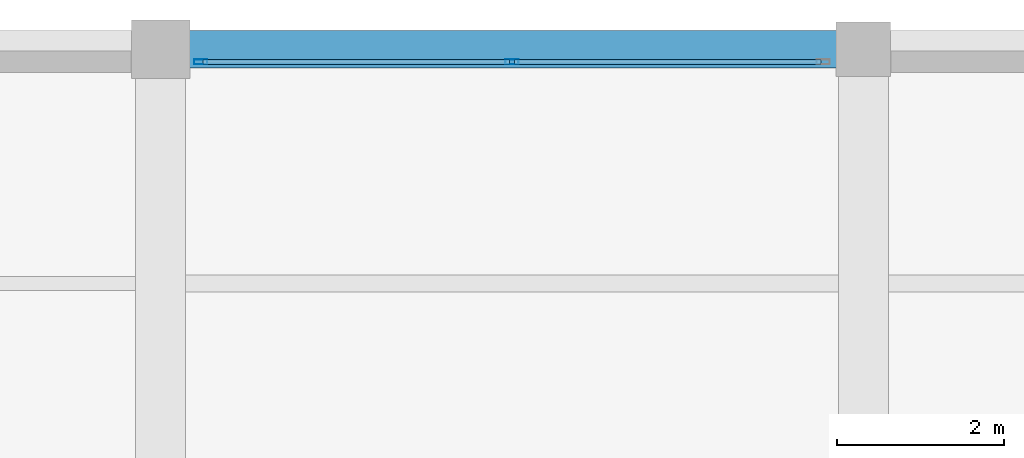
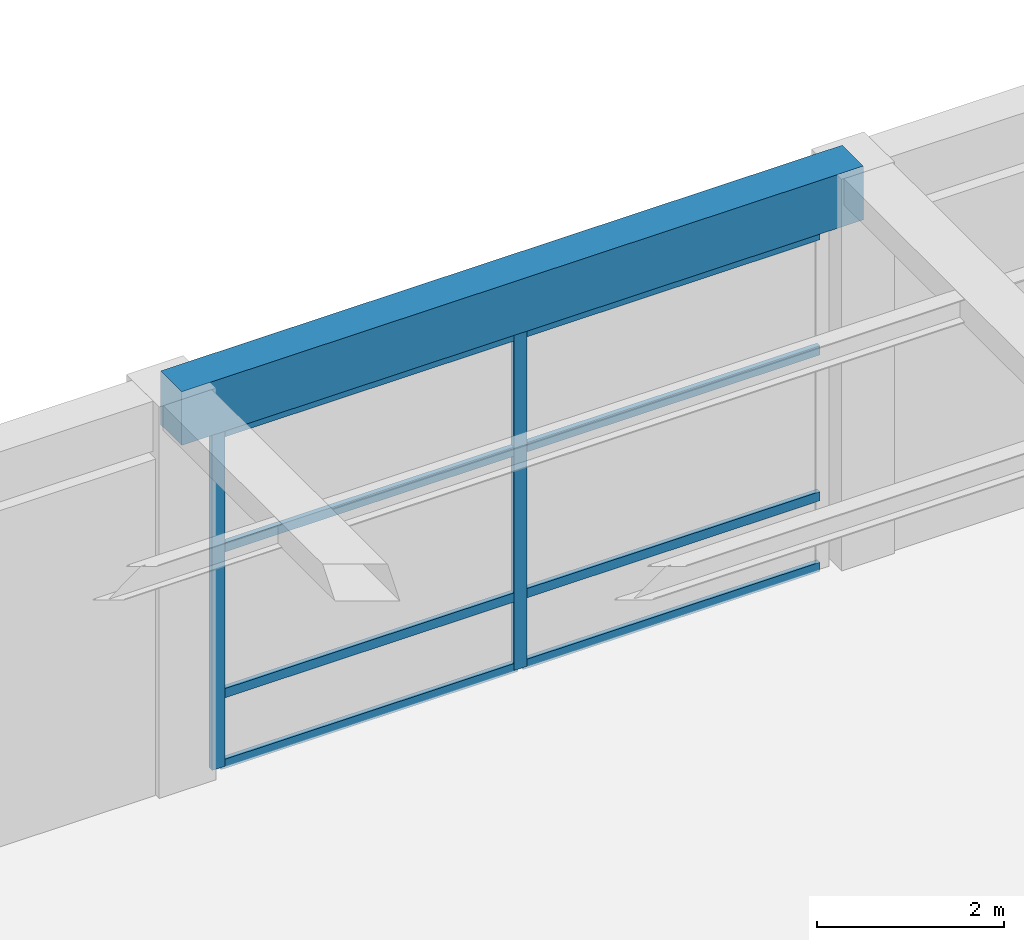
# One storey, part 48 of 95: 10 members, 1 beam, 1 element without a shape of its own.
"""IFC4 building model written with IfcOpenShell, lengths in metres."""

from ifc_helpers import new_model, si_unit, direction, frame, origin, origin_2d, place, context, subcontext, project, spatial, rectangle, hollow_rectangle, extrude, material, material_profile, profile_set, type_object, element, aggregate, save


model = new_model("IFC4")

# Units and contexts
model_context = context("Model", 3, precision=1e-05, world=origin(), true_north=direction((0.0, 1.0)))
body_context = subcontext(model_context, "Body", "Model", "MODEL_VIEW")
ifc_project = project(units=[si_unit("LENGTHUNIT", "METRE"), si_unit("AREAUNIT", "SQUARE_METRE"), si_unit("VOLUMEUNIT", "CUBIC_METRE"), si_unit("PLANEANGLEUNIT", "RADIAN"), si_unit("MASSUNIT", "GRAM", prefix="KILO")], contexts=[model_context])

# Site, building, storey
site_placement = place(None, origin())
site = spatial("IfcSite", under=ifc_project, at=site_placement, CompositionType="ELEMENT")
building_placement = place(site_placement, origin())
building = spatial("IfcBuilding", under=site, at=building_placement, Name="Almacenes y Pasaje Nevantli", CompositionType="ELEMENT")
storey_placement = place(building_placement, frame((0.0, 0.0, 11.39990234375)))
storey = spatial("IfcBuildingStorey", under=building, at=storey_placement, Name="L03", CompositionType="ELEMENT", Elevation=11.39990234375)

# Beam
ifc_material_1 = material(Name="Concrete C35/45", Category="concrete")
ifc_material_profile_1 = material_profile(ifc_material_1, rectangle(XDim=0.449951171875, YDim=0.699951171875, at=origin_2d()), Name="RC-BM-450x700")
ifc_profile_set_1 = profile_set([ifc_material_profile_1], Name="Concrete C35/45")
beam_type = type_object("IfcBeamType", Name="BM-RC-450x700", PredefinedType="SPANDREL", material=ifc_profile_set_1)
beam_placement = place(storey_placement, frame((100.800048828125, 117.60009765625, 4.75), z_axis=(1.0, 0.0, 0.0), x_axis=(0.0, 1.0, 0.0)))
element("IfcBeam", 1, at=beam_placement, inside=storey, type_object=beam_type, Name="L03 East-West Reinforced Concrete Beam #2472", PredefinedType="SPANDREL", context=body_context, shape_type="SweptSolid", body=[
    extrude(rectangle(XDim=0.449951171875, YDim=0.699951171875, at=origin_2d()), origin(), (0.0, 0.0, 1.0), 8.39990234375),
])

# Curtain wall, members
ifc_material_2 = material(Name="Thermally Broken Aluminium and Low-E Glass", Category="aluminium")
curtain_wall_type = type_object("IfcCurtainWallType", Name="CW-STF-BLVD", PredefinedType="USERDEFINED", material=ifc_material_2)
curtain_wall_placement = place(storey_placement, origin())
curtain_wall = element("IfcCurtainWall", 2, at=curtain_wall_placement, inside=storey, type_object=curtain_wall_type, Name="L03 North Boulevard Retail Curtain Wall Bay 13", ObjectType="STOREFRONT GLAZING", PredefinedType="USERDEFINED")
ifc_material_3 = material(Name="Thermally Broken Anodized Aluminium", Category="aluminium")
ifc_material_profile_2 = material_profile(ifc_material_3, hollow_rectangle(XDim=0.06005859375, YDim=0.159912109375, WallThickness=0.00390625, at=origin_2d()), Name="ALU-MUL-60x160")
ifc_profile_set_2 = profile_set([ifc_material_profile_2], Name="Thermally Broken Anodized Aluminium")
member_type_1 = type_object("IfcMemberType", Name="CW-MUL-180", PredefinedType="MULLION", material=ifc_profile_set_2)
member_1_placement = place(storey_placement, frame((101.280029296875, 117.449951171875, 0.0), z_axis=(0.0, 0.0, 1.0), x_axis=(0.0, 1.0, 0.0)))
member_1 = element("IfcMember", 3, at=member_1_placement, type_object=member_type_1, Name="CW-L03-041 mullion 1", PredefinedType="MULLION", context=body_context, shape_type="SweptSolid", body=[
    extrude(hollow_rectangle(XDim=0.06005859375, YDim=0.159912109375, WallThickness=0.00390625, at=origin_2d()), origin(), (0.0, 0.0, 1.0), 4.380126953125),
])
member_2_placement = place(storey_placement, frame((105.0, 117.449951171875, 0.0), z_axis=(0.0, 0.0, 1.0), x_axis=(0.0, 1.0, 0.0)))
member_2 = element("IfcMember", 4, at=member_2_placement, type_object=member_type_1, Name="CW-L03-041 mullion 2", PredefinedType="MULLION", context=body_context, shape_type="SweptSolid", body=[
    extrude(hollow_rectangle(XDim=0.06005859375, YDim=0.159912109375, WallThickness=0.00390625, at=origin_2d()), origin(), (0.0, 0.0, 1.0), 4.380126953125),
])
ifc_material_4 = material(Name="Thermally Broken Anodized Aluminium", Category="aluminium")
ifc_material_profile_3 = material_profile(ifc_material_4, hollow_rectangle(XDim=0.06005859375, YDim=0.1201171875, WallThickness=0.00341796875, at=origin_2d()), Name="ALU-TRN-60x120")
ifc_profile_set_3 = profile_set([ifc_material_profile_3], Name="Thermally Broken Anodized Aluminium")
member_type_2 = type_object("IfcMemberType", Name="CW-TRN-130", PredefinedType="USERDEFINED", material=ifc_profile_set_3)
member_3_placement = place(storey_placement, frame((101.31005859375, 117.449951171875, 0.030029296875), z_axis=(1.0, 0.0, 0.0), x_axis=(0.0, 1.0, 0.0)))
member_3 = element("IfcMember", 5, at=member_3_placement, type_object=member_type_2, Name="CW-L03-041 transom 1.1", ObjectType="TRANSOM", PredefinedType="USERDEFINED", context=body_context, shape_type="SweptSolid", body=[
    extrude(hollow_rectangle(XDim=0.06005859375, YDim=0.1201171875, WallThickness=0.00341796875, at=origin_2d()), origin(), (0.0, 0.0, 1.0), 3.659912109375),
])
member_4_placement = place(storey_placement, frame((101.31005859375, 117.449951171875, 0.9501953125), z_axis=(1.0, 0.0, 0.0), x_axis=(0.0, 1.0, 0.0)))
member_4 = element("IfcMember", 6, at=member_4_placement, type_object=member_type_2, Name="CW-L03-041 transom 1.2", ObjectType="TRANSOM", PredefinedType="USERDEFINED", context=body_context, shape_type="SweptSolid", body=[
    extrude(hollow_rectangle(XDim=0.06005859375, YDim=0.1201171875, WallThickness=0.00341796875, at=origin_2d()), origin(), (0.0, 0.0, 1.0), 3.659912109375),
])
member_5_placement = place(storey_placement, frame((101.31005859375, 117.449951171875, 2.85009765625), z_axis=(1.0, 0.0, 0.0), x_axis=(0.0, 1.0, 0.0)))
member_5 = element("IfcMember", 7, at=member_5_placement, type_object=member_type_2, Name="CW-L03-041 transom 1.3", ObjectType="TRANSOM", PredefinedType="USERDEFINED", context=body_context, shape_type="SweptSolid", body=[
    extrude(hollow_rectangle(XDim=0.06005859375, YDim=0.1201171875, WallThickness=0.00341796875, at=origin_2d()), origin(), (0.0, 0.0, 1.0), 3.659912109375),
])
member_6_placement = place(storey_placement, frame((101.31005859375, 117.449951171875, 4.35009765625), z_axis=(1.0, 0.0, 0.0), x_axis=(0.0, 1.0, 0.0)))
member_6 = element("IfcMember", 8, at=member_6_placement, type_object=member_type_2, Name="CW-L03-041 transom 1.4", ObjectType="TRANSOM", PredefinedType="USERDEFINED", context=body_context, shape_type="SweptSolid", body=[
    extrude(hollow_rectangle(XDim=0.06005859375, YDim=0.1201171875, WallThickness=0.00341796875, at=origin_2d()), origin(), (0.0, 0.0, 1.0), 3.659912109375),
])
member_7_placement = place(storey_placement, frame((105.030029296875, 117.449951171875, 0.030029296875), z_axis=(1.0, 0.0, 0.0), x_axis=(0.0, 1.0, 0.0)))
member_7 = element("IfcMember", 9, at=member_7_placement, type_object=member_type_2, Name="CW-L03-041 transom 2.1", ObjectType="TRANSOM", PredefinedType="USERDEFINED", context=body_context, shape_type="SweptSolid", body=[
    extrude(hollow_rectangle(XDim=0.06005859375, YDim=0.1201171875, WallThickness=0.00341796875, at=origin_2d()), origin(), (0.0, 0.0, 1.0), 3.659912109375),
])
member_8_placement = place(storey_placement, frame((105.030029296875, 117.449951171875, 0.9501953125), z_axis=(1.0, 0.0, 0.0), x_axis=(0.0, 1.0, 0.0)))
member_8 = element("IfcMember", 10, at=member_8_placement, type_object=member_type_2, Name="CW-L03-041 transom 2.2", ObjectType="TRANSOM", PredefinedType="USERDEFINED", context=body_context, shape_type="SweptSolid", body=[
    extrude(hollow_rectangle(XDim=0.06005859375, YDim=0.1201171875, WallThickness=0.00341796875, at=origin_2d()), origin(), (0.0, 0.0, 1.0), 3.659912109375),
])
member_9_placement = place(storey_placement, frame((105.030029296875, 117.449951171875, 2.85009765625), z_axis=(1.0, 0.0, 0.0), x_axis=(0.0, 1.0, 0.0)))
member_9 = element("IfcMember", 11, at=member_9_placement, type_object=member_type_2, Name="CW-L03-041 transom 2.3", ObjectType="TRANSOM", PredefinedType="USERDEFINED", context=body_context, shape_type="SweptSolid", body=[
    extrude(hollow_rectangle(XDim=0.06005859375, YDim=0.1201171875, WallThickness=0.00341796875, at=origin_2d()), origin(), (0.0, 0.0, 1.0), 3.659912109375),
])
member_10_placement = place(storey_placement, frame((105.030029296875, 117.449951171875, 4.35009765625), z_axis=(1.0, 0.0, 0.0), x_axis=(0.0, 1.0, 0.0)))
member_10 = element("IfcMember", 12, at=member_10_placement, type_object=member_type_2, Name="CW-L03-041 transom 2.4", ObjectType="TRANSOM", PredefinedType="USERDEFINED", context=body_context, shape_type="SweptSolid", body=[
    extrude(hollow_rectangle(XDim=0.06005859375, YDim=0.1201171875, WallThickness=0.00341796875, at=origin_2d()), origin(), (0.0, 0.0, 1.0), 3.659912109375),
])
aggregate(curtain_wall, [member_1, member_2, member_3, member_4, member_5, member_6, member_7, member_8, member_9, member_10])

save(model, "model.ifc")
